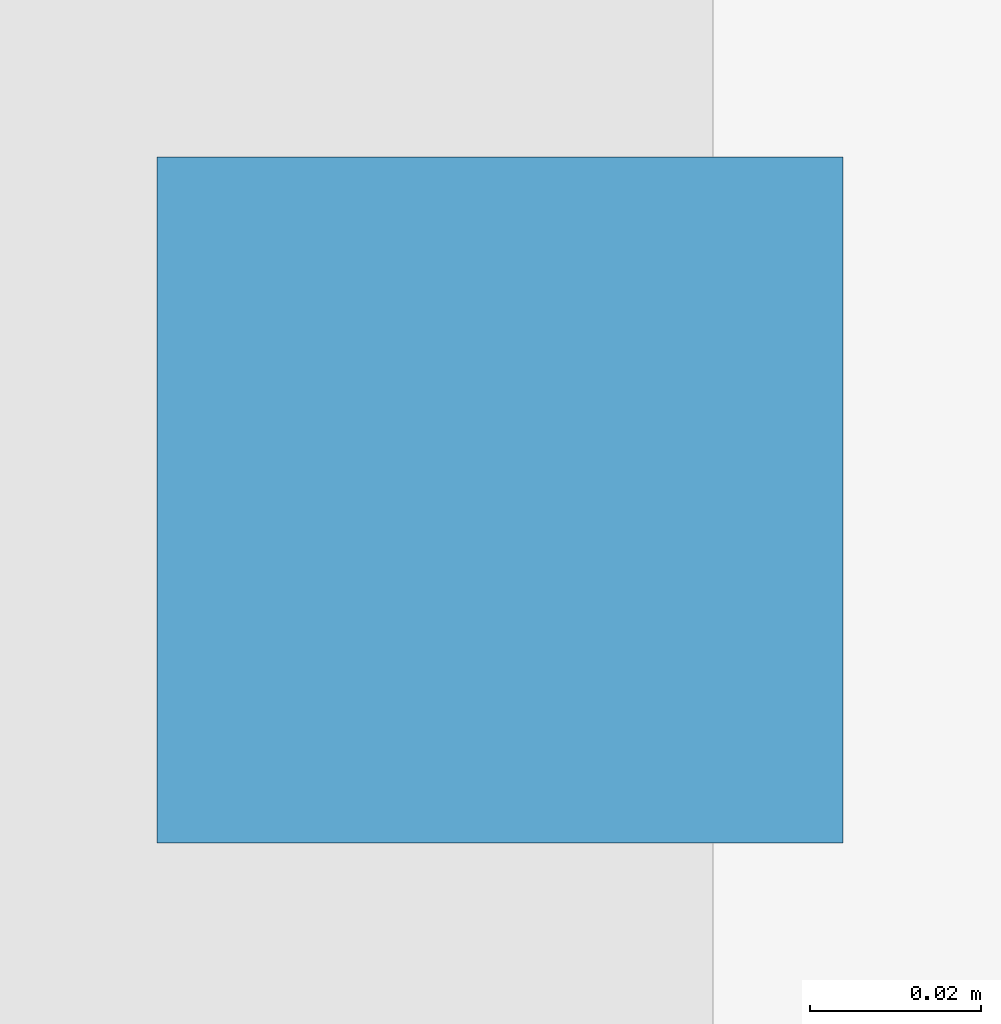
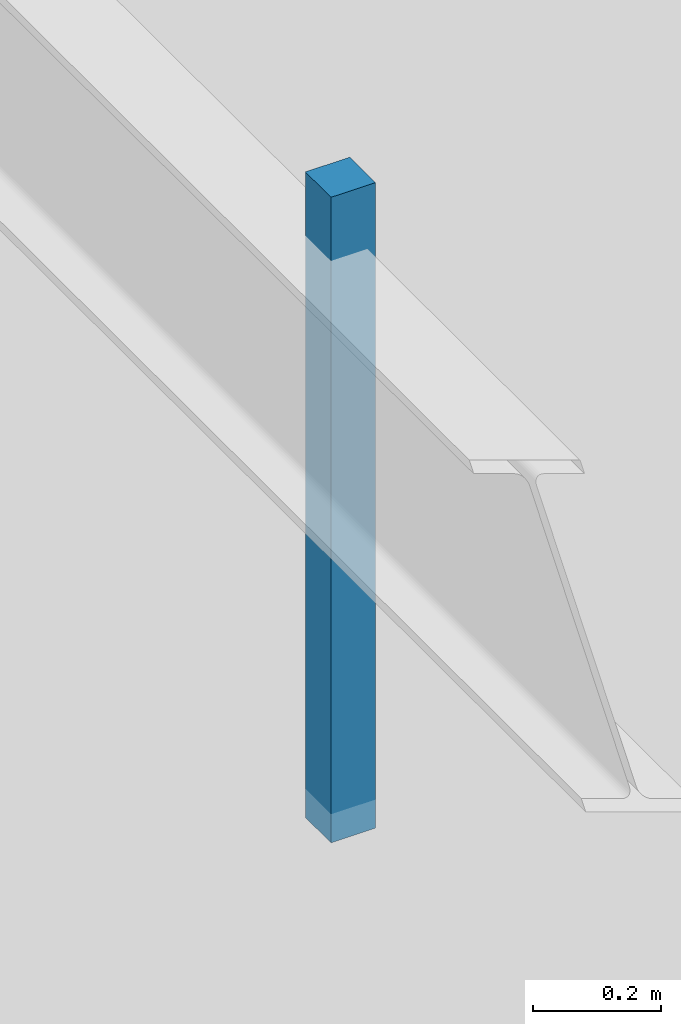
# One storey, part 141 of 163: 1 discrete accessory.
"""IFC4 building model written with IfcOpenShell, lengths in metres."""

from ifc_helpers import new_model, si_unit, direction, frame, origin, origin_2d, place, context, subcontext, project, spatial, rectangle, extrude, material, layer, layer_set, type_object, element, save


model = new_model("IFC4")

# Units and contexts
model_context = context("Model", 3, precision=1e-05, world=origin(), true_north=direction((0.0, 1.0)))
body_context = subcontext(model_context, "Body", "Model", "MODEL_VIEW")
ifc_project = project(units=[si_unit("LENGTHUNIT", "METRE"), si_unit("AREAUNIT", "SQUARE_METRE"), si_unit("VOLUMEUNIT", "CUBIC_METRE"), si_unit("PLANEANGLEUNIT", "RADIAN"), si_unit("MASSUNIT", "GRAM", prefix="KILO")], contexts=[model_context])

# Site, building, storey
site_placement = place(None, origin())
site = spatial("IfcSite", under=ifc_project, at=site_placement, CompositionType="ELEMENT")
building_placement = place(site_placement, origin())
building = spatial("IfcBuilding", under=site, at=building_placement, Name="Varnabhumi Central Station", CompositionType="ELEMENT")
storey_placement = place(building_placement, frame((0.0, 0.0, 9.60009765625)))
storey = spatial("IfcBuildingStorey", under=building, at=storey_placement, Name="L02", CompositionType="ELEMENT", Elevation=9.60009765625)

# Discrete accessory
ifc_material = material(Name="Structural steel E350", Category="steel")
ifc_layer = layer(ifc_material, 0.159912109375, Name="Structural steel E350", Category="steel")
ifc_layer_set = layer_set([ifc_layer], Name="Structural steel E350")
discrete_accessory_type = type_object("IfcDiscreteAccessoryType", Name="ACC-SHADE-BRKT", PredefinedType="BRACKET", material=ifc_layer_set)
discrete_accessory_placement = place(storey_placement, frame((68.050048828125, 4.5, 5.239990234375), z_axis=(0.0, 0.0, 1.0), x_axis=(1.0, 0.0, 0.0)))
element("IfcDiscreteAccessory", 1, at=discrete_accessory_placement, inside=storey, type_object=discrete_accessory_type, Name="Rail Reservation Counter Office Ceiling Hanger", PredefinedType="BRACKET", context=body_context, shape_type="SweptSolid", body=[
    extrude(rectangle(XDim=0.080078125, YDim=0.080078125, at=origin_2d()), origin(), (0.0, 0.0, 1.0), 1.22998046875),
])

save(model, "model.ifc")
